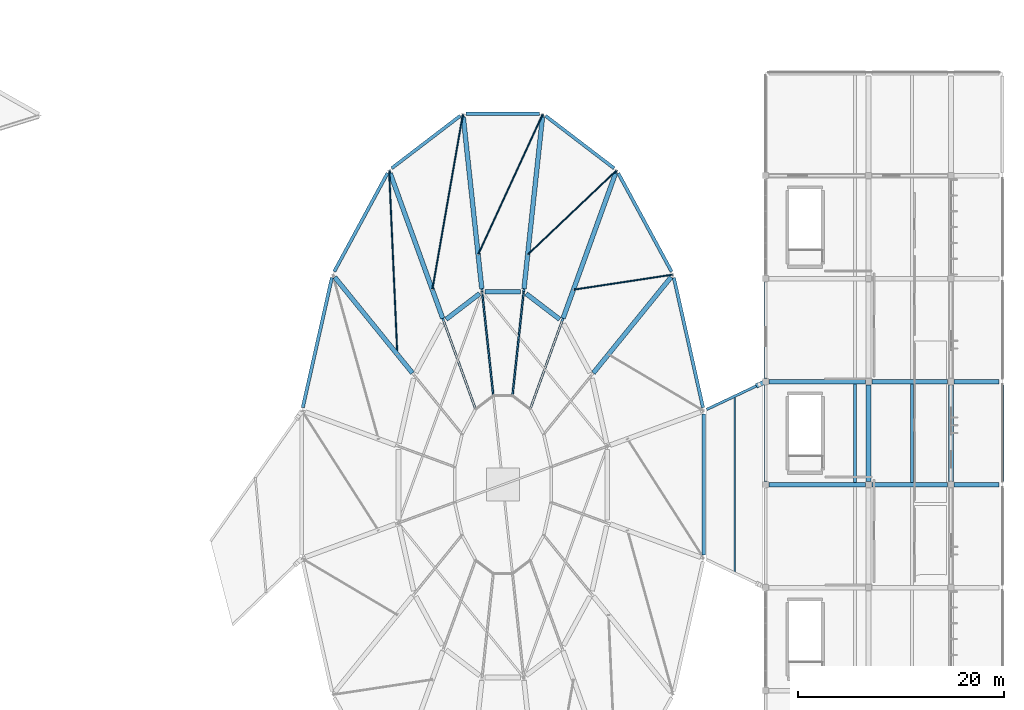
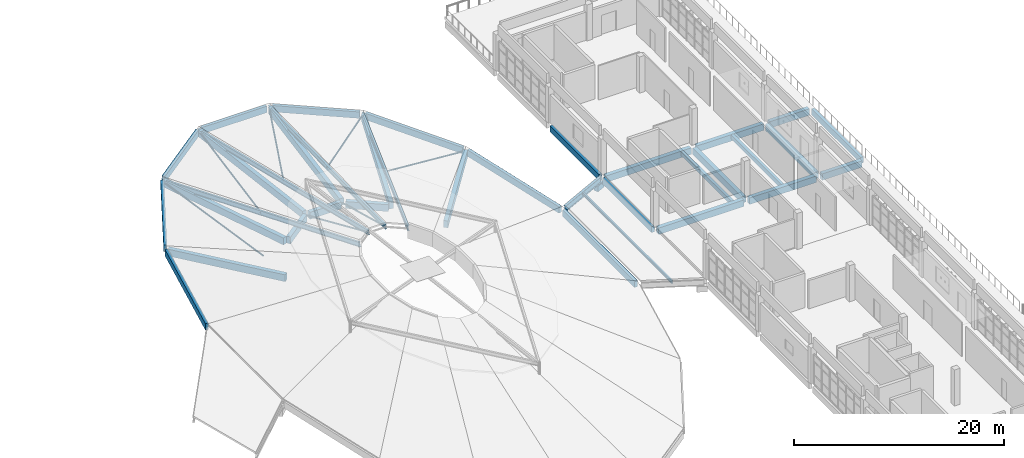
# One storey, part 12 of 39: 33 beams, 11 members.
"""IFC4 building model written with IfcOpenShell, lengths in metres."""

from ifc_helpers import new_model, si_unit, direction, frame, origin, origin_2d, place, context, subcontext, project, spatial, rectangle, hollow_rectangle, hollow_circle, i_section, extrude, material, material_profile, profile_set, type_object, element, save


model = new_model("IFC4")

# Units and contexts
model_context = context("Model", 3, precision=1e-05, world=origin(), true_north=direction((0.0, 1.0)))
body_context = subcontext(model_context, "Body", "Model", "MODEL_VIEW")
ifc_project = project(units=[si_unit("LENGTHUNIT", "METRE"), si_unit("AREAUNIT", "SQUARE_METRE"), si_unit("VOLUMEUNIT", "CUBIC_METRE"), si_unit("PLANEANGLEUNIT", "RADIAN"), si_unit("MASSUNIT", "GRAM", prefix="KILO")], contexts=[model_context])

# Site, building, storey
site_placement = place(None, origin())
site = spatial("IfcSite", under=ifc_project, at=site_placement, CompositionType="ELEMENT")
building_placement = place(site_placement, origin())
building = spatial("IfcBuilding", under=site, at=building_placement, Name="Corvandel Quay Wholesale Market", CompositionType="ELEMENT")
storey_placement = place(building_placement, frame((0.0, 0.0, 15.0)))
storey = spatial("IfcBuildingStorey", under=building, at=storey_placement, Name="L03", CompositionType="ELEMENT", Elevation=15.0)

# Members
ifc_material_1 = material(Name="Steel A992 Grade 50", Category="steel")
ifc_material_profile_1 = material_profile(ifc_material_1, i_section(OverallWidth=0.2099609375, OverallDepth=0.537109375, WebThickness=0.010986328125, FlangeThickness=0.017333984375, at=origin_2d()), Name="W21X68")
ifc_profile_set_1 = profile_set([ifc_material_profile_1], Name="Steel A992 Grade 50")
member_type_1 = type_object("IfcMemberType", Name="Auction Lantern Primary Rafter RF01 W21X68", PredefinedType="RAFTER", material=ifc_profile_set_1)
member_1_placement = place(storey_placement, frame((205.5458984375, 90.51904296875, -0.56005859375), z_axis=(-0.336493385237, -0.929677225546, 0.149908165196), x_axis=(0.940302716618, -0.340339244167, 0.0)))
element("IfcMember", 1, at=member_1_placement, inside=storey, type_object=member_type_1, Name="Member MEM-0054", PredefinedType="RAFTER", context=body_context, shape_type="SweptSolid", body=[
    extrude(i_section(OverallWidth=0.2099609375, OverallDepth=0.537109375, WebThickness=0.010986328125, FlangeThickness=0.017333984375, at=origin_2d()), origin(), (0.0, 0.0, 1.0), 24.948486328125),
])
for number, where, z_axis, x_axis, name in (
    (2, (198.37890625, 96.0, -0.56005859375), (-0.106152093076, -0.985188125442, 0.134670303422), (0.994245239382, -0.107127979383, 0.0), "Member MEM-0058"),
    (3, (190.62109375, 96.0, -0.56005859375), (0.106152093076, -0.985188125442, 0.134670303422), (0.994245239382, 0.107127979383, 0.0), "Member MEM-0062"),
):
    element("IfcMember", number, at=place(storey_placement, frame(where, z_axis=z_axis, x_axis=x_axis)), inside=storey, type_object=member_type_1, Name=name, PredefinedType="RAFTER", context=body_context, shape_type="SweptSolid", body=[
        extrude(i_section(OverallWidth=0.2099609375, OverallDepth=0.537109375, WebThickness=0.010986328125, FlangeThickness=0.017333984375, at=origin_2d()), origin(), (0.0, 0.0, 1.0), 27.771484375),
    ])
member_2_placement = place(storey_placement, frame((183.4541015625, 90.51904296875, -0.56005859375), z_axis=(0.336493385237, -0.929677225546, 0.149908165196), x_axis=(0.940302716618, 0.340339244167, 0.0)))
element("IfcMember", 4, at=member_2_placement, inside=storey, type_object=member_type_1, Name="Member MEM-0066", PredefinedType="RAFTER", context=body_context, shape_type="SweptSolid", body=[
    extrude(i_section(OverallWidth=0.2099609375, OverallDepth=0.537109375, WebThickness=0.010986328125, FlangeThickness=0.017333984375, at=origin_2d()), origin(), (0.0, 0.0, 1.0), 24.948486328125),
])

# Beams
ifc_material_2 = material(Name="Precast concrete C45/55", Category="concrete")
ifc_material_profile_2 = material_profile(ifc_material_2, rectangle(XDim=0.449951171875, YDim=0.800048828125, at=origin_2d()), Name="PC-GIR-450x800")
ifc_profile_set_2 = profile_set([ifc_material_profile_2], Name="Precast concrete C45/55")
beam_type_1 = type_object("IfcBeamType", Name="Auction Pavilion Girder G05 450x800", PredefinedType="USERDEFINED", material=ifc_profile_set_2)
beam_1_placement = place(storey_placement, frame((210.82958984375, 80.143310546875, -0.60009765625), z_axis=(-0.629759439893, -0.776790221273, 0.0), x_axis=(0.776790221273, -0.629759439893, 0.0)))
element("IfcBeam", 5, at=beam_1_placement, inside=storey, type_object=beam_type_1, Name="Beam BM-0790", ObjectType="GIRDER", PredefinedType="USERDEFINED", context=body_context, shape_type="SweptSolid", body=[
    extrude(rectangle(XDim=0.449951171875, YDim=0.800048828125, at=origin_2d()), origin(), (0.0, 0.0, 1.0), 11.9853515625),
])
beam_2_placement = place(storey_placement, frame((200.009765625, 76.04931640625, -0.60009765625), z_axis=(-0.794401755495, 0.607392666129, 0.0), x_axis=(-0.607392666129, -0.794401755495, 0.0)))
element("IfcBeam", 6, at=beam_2_placement, inside=storey, type_object=beam_type_1, Name="Beam BM-0798", ObjectType="GIRDER", PredefinedType="USERDEFINED", context=body_context, shape_type="SweptSolid", body=[
    extrude(rectangle(XDim=0.449951171875, YDim=0.800048828125, at=origin_2d()), origin(), (0.0, 0.0, 1.0), 4.101806640625),
])
beam_3_placement = place(storey_placement, frame((205.43701171875, 90.218017578125, -0.60009765625), z_axis=(-0.340323944188, -0.940308254251, 0.0), x_axis=(0.940308254251, -0.340323944188, 0.0)))
element("IfcBeam", 7, at=beam_3_placement, inside=storey, type_object=beam_type_1, Name="Beam BM-0799", ObjectType="GIRDER", PredefinedType="USERDEFINED", context=body_context, shape_type="SweptSolid", body=[
    extrude(rectangle(XDim=0.449951171875, YDim=0.800048828125, at=origin_2d()), origin(), (0.0, 0.0, 1.0), 14.9638671875),
])
beam_4_placement = place(storey_placement, frame((196.221923828125, 78.719970703125, -0.60009765625), z_axis=(-1.0, 0.0, 0.0), x_axis=(0.0, -1.0, 0.0)))
element("IfcBeam", 8, at=beam_4_placement, inside=storey, type_object=beam_type_1, Name="Beam BM-0807", ObjectType="GIRDER", PredefinedType="USERDEFINED", context=body_context, shape_type="SweptSolid", body=[
    extrude(rectangle(XDim=0.449951171875, YDim=0.800048828125, at=origin_2d()), origin(), (0.0, 0.0, 1.0), 3.44384765625),
])
beam_5_placement = place(storey_placement, frame((198.3447265625, 95.681884765625, -0.60009765625), z_axis=(-0.107135210455, -0.994244460221, 0.0), x_axis=(0.994244460221, -0.107135210455, 0.0)))
element("IfcBeam", 9, at=beam_5_placement, inside=storey, type_object=beam_type_1, Name="Beam BM-0808", ObjectType="GIRDER", PredefinedType="USERDEFINED", context=body_context, shape_type="SweptSolid", body=[
    extrude(rectangle(XDim=0.449951171875, YDim=0.800048828125, at=origin_2d()), origin(), (0.0, 0.0, 1.0), 16.76513671875),
])
beam_6_placement = place(storey_placement, frame((192.248779296875, 78.540771484375, -0.60009765625), z_axis=(-0.794401755495, -0.607392666129, 0.0), x_axis=(0.607392666129, -0.794401755495, 0.0)))
element("IfcBeam", 10, at=beam_6_placement, inside=storey, type_object=beam_type_1, Name="Beam BM-0818", ObjectType="GIRDER", PredefinedType="USERDEFINED", context=body_context, shape_type="SweptSolid", body=[
    extrude(rectangle(XDim=0.449951171875, YDim=0.800048828125, at=origin_2d()), origin(), (0.0, 0.0, 1.0), 4.101806640625),
])
beam_7_placement = place(storey_placement, frame((190.6552734375, 95.681884765625, -0.60009765625), z_axis=(0.107135210455, -0.994244460221, 0.0), x_axis=(0.994244460221, 0.107135210455, 0.0)))
element("IfcBeam", 11, at=beam_7_placement, inside=storey, type_object=beam_type_1, Name="Beam BM-0819", ObjectType="GIRDER", PredefinedType="USERDEFINED", context=body_context, shape_type="SweptSolid", body=[
    extrude(rectangle(XDim=0.449951171875, YDim=0.800048828125, at=origin_2d()), origin(), (0.0, 0.0, 1.0), 16.76513671875),
])
beam_8_placement = place(storey_placement, frame((183.56298828125, 90.218017578125, -0.60009765625), z_axis=(0.340323944188, -0.940308254251, 0.0), x_axis=(0.940308254251, 0.340323944188, 0.0)))
element("IfcBeam", 12, at=beam_8_placement, inside=storey, type_object=beam_type_1, Name="Beam BM-0830", ObjectType="GIRDER", PredefinedType="USERDEFINED", context=body_context, shape_type="SweptSolid", body=[
    extrude(rectangle(XDim=0.449951171875, YDim=0.800048828125, at=origin_2d()), origin(), (0.0, 0.0, 1.0), 14.9638671875),
])
beam_9_placement = place(storey_placement, frame((178.17041015625, 80.143310546875, -0.60009765625), z_axis=(0.629759439893, -0.776790221273, 0.0), x_axis=(0.776790221273, 0.629759439893, 0.0)))
element("IfcBeam", 13, at=beam_9_placement, inside=storey, type_object=beam_type_1, Name="Beam BM-0841", ObjectType="GIRDER", PredefinedType="USERDEFINED", context=body_context, shape_type="SweptSolid", body=[
    extrude(rectangle(XDim=0.449951171875, YDim=0.800048828125, at=origin_2d()), origin(), (0.0, 0.0, 1.0), 11.9853515625),
])
ifc_material_profile_3 = material_profile(ifc_material_1, i_section(OverallWidth=0.1669921875, OverallDepth=0.318115234375, WebThickness=0.007568359375, FlangeThickness=0.01318359375, at=origin_2d()), Name="W12X35")
ifc_profile_set_3 = profile_set([ifc_material_profile_3], Name="Steel A992 Grade 50")
beam_type_2 = type_object("IfcBeamType", Name="Bridge Floor Steel Beam SB02 W12X35", PredefinedType="BEAM", material=ifc_profile_set_3)
beam_10_placement = place(storey_placement, frame((217.0, 51.429443359375, -0.360107421875), z_axis=(0.0, 1.0, 0.0), x_axis=(-1.0, 0.0, 0.0)))
element("IfcBeam", 14, at=beam_10_placement, inside=storey, type_object=beam_type_2, Name="Beam BM-1820", PredefinedType="BEAM", context=body_context, shape_type="SweptSolid", body=[
    extrude(i_section(OverallWidth=0.1669921875, OverallDepth=0.318115234375, WebThickness=0.007568359375, FlangeThickness=0.01318359375, at=origin_2d()), origin(), (0.0, 0.0, 1.0), 17.14111328125),
])
ifc_material_profile_4 = material_profile(ifc_material_1, i_section(OverallWidth=0.25390625, OverallDepth=0.68310546875, WebThickness=0.012451171875, FlangeThickness=0.018798828125, at=origin_2d()), Name="W27X94")
ifc_profile_set_4 = profile_set([ifc_material_profile_4], Name="Steel A992 Grade 50")
beam_type_3 = type_object("IfcBeamType", Name="Bridge Link Steel Girder SG01 W27X94", PredefinedType="USERDEFINED", material=ifc_profile_set_4)
beam_11_placement = place(storey_placement, frame((214.28466796875, 67.295654296875, -0.54150390625), z_axis=(0.903920621158, 0.427700257943, 0.0), x_axis=(-0.427700257943, 0.903920621158, 0.0)))
element("IfcBeam", 15, at=beam_11_placement, inside=storey, type_object=beam_type_3, Name="Beam BM-1819", ObjectType="GIRDER", PredefinedType="USERDEFINED", context=body_context, shape_type="SweptSolid", body=[
    extrude(i_section(OverallWidth=0.25390625, OverallDepth=0.68310546875, WebThickness=0.012451171875, FlangeThickness=0.018798828125, at=origin_2d()), origin(), (0.0, 0.0, 1.0), 6.0078125),
])

# Members
ifc_material_3 = material(Name="Steel A500 Grade C", Category="steel")
ifc_material_profile_5 = material_profile(ifc_material_3, hollow_rectangle(XDim=0.126953125, YDim=0.126953125, WallThickness=0.00732421875, at=origin_2d()), Name="HSS5X5X5/16")
ifc_profile_set_5 = profile_set([ifc_material_profile_5], Name="Steel A500 Grade C")
member_type_2 = type_object("IfcMemberType", Name="Lantern Truss Web Brace BR04 HSS5X5", PredefinedType="BRACE", material=ifc_profile_set_5)
for number, where, z_axis, x_axis, name in (
    (16, (196.51708984375, 78.719970703125, -0.56005859375), (-0.100514097109, -0.932799739587, 0.346094729964), (0.994244473032, -0.107135091565, 0.0), "Member MEM-0059"),
    (17, (192.48291015625, 78.719970703125, -0.56005859375), (0.100514097109, -0.932799739587, 0.346094729964), (0.994244473032, 0.107135091565, 0.0), "Member MEM-0063"),
):
    element("IfcMember", number, at=place(storey_placement, frame(where, z_axis=z_axis, x_axis=x_axis)), inside=storey, type_object=member_type_2, Name=name, PredefinedType="BRACE", context=body_context, shape_type="SweptSolid", body=[
        extrude(hollow_rectangle(XDim=0.126953125, YDim=0.126953125, WallThickness=0.00732421875, at=origin_2d()), origin(), (0.0, 0.0, 1.0), 10.80615234375),
    ])

# Beams
ifc_material_profile_6 = material_profile(ifc_material_2, rectangle(XDim=0.300048828125, YDim=0.5, at=origin_2d()), Name="PC-BM-300x500")
ifc_profile_set_6 = profile_set([ifc_material_profile_6], Name="Precast concrete C45/55")
beam_type_4 = type_object("IfcBeamType", Name="Office Floor Secondary Beam B04 300x500", PredefinedType="BEAM", material=ifc_profile_set_6)
for number, where, z_axis, x_axis, name in (
    (18, (228.699951171875, 60.215087890625, -0.570068359375), (0.0, 1.0, 0.0), (-1.0, 0.0, 0.0), "Beam BM-1688"),
    (19, (234.199951171875, 60.215087890625, -0.570068359375), (0.0, 1.0, 0.0), (-1.0, 0.0, 0.0), "Beam BM-1689"),
):
    element("IfcBeam", number, at=place(storey_placement, frame(where, z_axis=z_axis, x_axis=x_axis)), inside=storey, type_object=beam_type_4, Name=name, PredefinedType="BEAM", context=body_context, shape_type="SweptSolid", body=[
        extrude(rectangle(XDim=0.300048828125, YDim=0.5, at=origin_2d()), origin(), (0.0, 0.0, 1.0), 9.56982421875),
    ])
ifc_material_profile_7 = material_profile(ifc_material_2, rectangle(XDim=0.320068359375, YDim=0.75, at=origin_2d()), Name="PC-SPN-320x750")
ifc_profile_set_7 = profile_set([ifc_material_profile_7], Name="Precast concrete C45/55")
beam_type_5 = type_object("IfcBeamType", Name="Pavilion Precast Spandrel SP02 320x750", PredefinedType="SPANDREL", material=ifc_profile_set_7)
beam_12_placement = place(storey_placement, frame((213.929931640625, 67.47314453125, -0.574951171875), z_axis=(-0.218948761125, 0.975736357835, 0.0), x_axis=(-0.975736357835, -0.218948761125, 0.0)))
element("IfcBeam", 20, at=beam_12_placement, inside=storey, type_object=beam_type_5, Name="Beam BM-0777", PredefinedType="SPANDREL", context=body_context, shape_type="SweptSolid", body=[
    extrude(rectangle(XDim=0.320068359375, YDim=0.75, at=origin_2d()), origin(), (0.0, 0.0, 1.0), 12.920166015625),
])
beam_13_placement = place(storey_placement, frame((210.878662109375, 80.67333984375, -0.574951171875), z_axis=(-0.476252055729, 0.879308807766, 0.0), x_axis=(-0.879308807766, -0.476252055729, 0.0)))
element("IfcBeam", 21, at=beam_13_placement, inside=storey, type_object=beam_type_5, Name="Beam BM-0788", PredefinedType="SPANDREL", context=body_context, shape_type="SweptSolid", body=[
    extrude(rectangle(XDim=0.320068359375, YDim=0.75, at=origin_2d()), origin(), (0.0, 0.0, 1.0), 10.876953125),
])
beam_14_placement = place(storey_placement, frame((205.291748046875, 90.71337890625, -0.574951171875), z_axis=(-0.794327244318, 0.607490106038, 0.0), x_axis=(-0.607490106038, -0.794327244318, 0.0)))
element("IfcBeam", 22, at=beam_14_placement, inside=storey, type_object=beam_type_5, Name="Beam BM-0797", PredefinedType="SPANDREL", context=body_context, shape_type="SweptSolid", body=[
    extrude(rectangle(XDim=0.320068359375, YDim=0.75, at=origin_2d()), origin(), (0.0, 0.0, 1.0), 8.382568359375),
])
beam_15_placement = place(storey_placement, frame((198.05908203125, 96.0, -0.574951171875), z_axis=(-1.0, 0.0, 0.0), x_axis=(0.0, -1.0, 0.0)))
element("IfcBeam", 23, at=beam_15_placement, inside=storey, type_object=beam_type_5, Name="Beam BM-0806", PredefinedType="SPANDREL", context=body_context, shape_type="SweptSolid", body=[
    extrude(rectangle(XDim=0.320068359375, YDim=0.75, at=origin_2d()), origin(), (0.0, 0.0, 1.0), 7.1181640625),
])
beam_16_placement = place(storey_placement, frame((190.36669921875, 95.8056640625, -0.574951171875), z_axis=(-0.794327244318, -0.607490106038, 0.0), x_axis=(0.607490106038, -0.794327244318, 0.0)))
element("IfcBeam", 24, at=beam_16_placement, inside=storey, type_object=beam_type_5, Name="Beam BM-0817", PredefinedType="SPANDREL", context=body_context, shape_type="SweptSolid", body=[
    extrude(rectangle(XDim=0.320068359375, YDim=0.75, at=origin_2d()), origin(), (0.0, 0.0, 1.0), 8.382568359375),
])
beam_17_placement = place(storey_placement, frame((183.301513671875, 90.237548828125, -0.574951171875), z_axis=(-0.476252055729, -0.879308807766, 0.0), x_axis=(0.879308807766, -0.476252055729, 0.0)))
element("IfcBeam", 25, at=beam_17_placement, inside=storey, type_object=beam_type_5, Name="Beam BM-0828", PredefinedType="SPANDREL", context=body_context, shape_type="SweptSolid", body=[
    extrude(rectangle(XDim=0.320068359375, YDim=0.75, at=origin_2d()), origin(), (0.0, 0.0, 1.0), 10.876953125),
])
beam_18_placement = place(storey_placement, frame((177.89892578125, 80.079833984375, -0.574951171875), z_axis=(-0.218948761125, -0.975736357835, 0.0), x_axis=(0.975736357835, -0.218948761125, 0.0)))
element("IfcBeam", 26, at=beam_18_placement, inside=storey, type_object=beam_type_5, Name="Beam BM-0839", PredefinedType="SPANDREL", context=body_context, shape_type="SweptSolid", body=[
    extrude(rectangle(XDim=0.320068359375, YDim=0.75, at=origin_2d()), origin(), (0.0, 0.0, 1.0), 12.920166015625),
])
beam_19_placement = place(storey_placement, frame((214.0, 53.158935546875, -0.574951171875), z_axis=(0.0, 1.0, 0.0), x_axis=(-1.0, 0.0, 0.0)))
element("IfcBeam", 27, at=beam_19_placement, inside=storey, type_object=beam_type_5, Name="Beam BM-0934", PredefinedType="SPANDREL", context=body_context, shape_type="SweptSolid", body=[
    extrude(rectangle(XDim=0.320068359375, YDim=0.75, at=origin_2d()), origin(), (0.0, 0.0, 1.0), 13.68212890625),
])

# Members
ifc_material_profile_8 = material_profile(ifc_material_3, hollow_circle(Radius=0.083984375, WallThickness=0.00732421875, at=origin_2d()), Name="HSS6.625X0.312")
ifc_profile_set_8 = profile_set([ifc_material_profile_8], Name="Steel A500 Grade C")
member_type_3 = type_object("IfcMemberType", Name="Roof Diaphragm Wind Brace BR06 CHS168", PredefinedType="BRACE", material=ifc_profile_set_8)
member_3_placement = place(storey_placement, frame((211.031005859375, 80.39208984375, -0.56005859375), z_axis=(-0.971124795816, -0.147431729592, 0.187564698335), x_axis=(0.150095588472, -0.988671489587, 0.0)))
element("IfcMember", 28, at=member_3_placement, inside=storey, type_object=member_type_3, Name="Member MEM-0053", PredefinedType="BRACE", context=body_context, shape_type="SweptSolid", body=[
    extrude(hollow_circle(Radius=0.083984375, WallThickness=0.00732421875, at=origin_2d()), origin(), (0.0, 0.0, 1.0), 9.970458984375),
])
member_4_placement = place(storey_placement, frame((205.5458984375, 90.51904296875, -0.56005859375), z_axis=(-0.716634009863, -0.679985306508, 0.155098932432), x_axis=(0.688314641364, -0.725412265187, 0.0)))
element("IfcMember", 29, at=member_4_placement, inside=storey, type_object=member_type_3, Name="Member MEM-0057", PredefinedType="BRACE", context=body_context, shape_type="SweptSolid", body=[
    extrude(hollow_circle(Radius=0.083984375, WallThickness=0.00732421875, at=origin_2d()), origin(), (0.0, 0.0, 1.0), 12.0576171875),
])
member_5_placement = place(storey_placement, frame((198.37890625, 96.0, -0.56005859375), z_axis=(-0.414237247646, -0.901781564838, 0.1232781894), x_axis=(0.908713090187, -0.417421273684, 0.0)))
element("IfcMember", 30, at=member_5_placement, inside=storey, type_object=member_type_3, Name="Member MEM-0061", PredefinedType="BRACE", context=body_context, shape_type="SweptSolid", body=[
    extrude(hollow_circle(Radius=0.083984375, WallThickness=0.00732421875, at=origin_2d()), origin(), (0.0, 0.0, 1.0), 15.169921875),
])
member_6_placement = place(storey_placement, frame((190.62109375, 96.0, -0.56005859375), z_axis=(-0.170320131476, -0.979533299092, 0.107264014396), x_axis=(0.985217439721, -0.171308483357, 0.0)))
element("IfcMember", 31, at=member_6_placement, inside=storey, type_object=member_type_3, Name="Member MEM-0065", PredefinedType="BRACE", context=body_context, shape_type="SweptSolid", body=[
    extrude(hollow_circle(Radius=0.083984375, WallThickness=0.00732421875, at=origin_2d()), origin(), (0.0, 0.0, 1.0), 17.434814453125),
])
member_7_placement = place(storey_placement, frame((183.4541015625, 90.51904296875, -0.56005859375), z_axis=(0.044265427386, -0.993597361502, 0.103946405205), x_axis=(0.999009093727, 0.044506523678, 0.0)))
element("IfcMember", 32, at=member_7_placement, inside=storey, type_object=member_type_3, Name="Member MEM-0069", PredefinedType="BRACE", context=body_context, shape_type="SweptSolid", body=[
    extrude(hollow_circle(Radius=0.083984375, WallThickness=0.00732421875, at=origin_2d()), origin(), (0.0, 0.0, 1.0), 17.9912109375),
])

# Beams
ifc_material_profile_9 = material_profile(ifc_material_2, rectangle(XDim=0.449951171875, YDim=0.64990234375, at=origin_2d()), Name="PC-COR-680x650")
ifc_profile_set_9 = profile_set([ifc_material_profile_9], Name="Precast concrete C45/55")
beam_type_6 = type_object("IfcBeamType", Name="Seismic Joint Precast Corbel CB01 680x650", PredefinedType="BEAM", material=ifc_profile_set_9)
beam_20_placement = place(storey_placement, frame((220.0, 70.0, -1.2080078125), z_axis=(-0.903980084477, -0.427574562935, 0.0), x_axis=(0.427574562935, -0.903980084477, 0.0)))
element("IfcBeam", 33, at=beam_20_placement, inside=storey, type_object=beam_type_6, Name="Beam BM-1818", PredefinedType="BEAM", context=body_context, shape_type="SweptSolid", body=[
    extrude(rectangle(XDim=0.449951171875, YDim=0.64990234375, at=origin_2d()), origin(), (0.0, 0.0, 1.0), 1.0048828125),
])
ifc_material_profile_10 = material_profile(ifc_material_2, rectangle(XDim=0.300048828125, YDim=0.699951171875, at=origin_2d()), Name="PC-SPN-300x700")
ifc_profile_set_10 = profile_set([ifc_material_profile_10], Name="Precast concrete C45/55")
beam_type_7 = type_object("IfcBeamType", Name="Terrace Edge Spandrel SP03 300x700", PredefinedType="SPANDREL", material=ifc_profile_set_10)
for number, where, z_axis, x_axis, name in (
    (34, (220.0, 60.320068359375, -0.669921875), (0.0, 1.0, 0.0), (-1.0, 0.0, 0.0), "Beam BM-1647"),
    (35, (220.0, 70.320068359375, -0.669921875), (0.0, 1.0, 0.0), (-1.0, 0.0, 0.0), "Beam BM-1648"),
    (36, (243.0, 60.320068359375, -0.669921875), (0.0, 1.0, 0.0), (-1.0, 0.0, 0.0), "Beam BM-1674"),
):
    element("IfcBeam", number, at=place(storey_placement, frame(where, z_axis=z_axis, x_axis=x_axis)), inside=storey, type_object=beam_type_7, Name=name, PredefinedType="SPANDREL", context=body_context, shape_type="SweptSolid", body=[
        extrude(rectangle(XDim=0.300048828125, YDim=0.699951171875, at=origin_2d()), origin(), (0.0, 0.0, 1.0), 9.35986328125),
    ])
ifc_material_profile_11 = material_profile(ifc_material_2, rectangle(XDim=0.449951171875, YDim=0.75, at=origin_2d()), Name="PC-GIR-450x750")
ifc_profile_set_11 = profile_set([ifc_material_profile_11], Name="Precast concrete C45/55")
beam_type_8 = type_object("IfcBeamType", Name="Waterfront Office Girder G06 450x750", PredefinedType="USERDEFINED", material=ifc_profile_set_11)
beam_21_placement = place(storey_placement, frame((220.320068359375, 60.0, -0.695068359375), z_axis=(1.0, 0.0, 0.0), x_axis=(0.0, 1.0, 0.0)))
element("IfcBeam", 37, at=beam_21_placement, inside=storey, type_object=beam_type_8, Name="Beam BM-1627", ObjectType="GIRDER", PredefinedType="USERDEFINED", context=body_context, shape_type="SweptSolid", body=[
    extrude(rectangle(XDim=0.449951171875, YDim=0.75, at=origin_2d()), origin(), (0.0, 0.0, 1.0), 9.35986328125),
])
beam_22_placement = place(storey_placement, frame((230.320068359375, 60.0, -0.695068359375), z_axis=(1.0, 0.0, 0.0), x_axis=(0.0, 1.0, 0.0)))
element("IfcBeam", 38, at=beam_22_placement, inside=storey, type_object=beam_type_8, Name="Beam BM-1628", ObjectType="GIRDER", PredefinedType="USERDEFINED", context=body_context, shape_type="SweptSolid", body=[
    extrude(rectangle(XDim=0.449951171875, YDim=0.75, at=origin_2d()), origin(), (0.0, 0.0, 1.0), 7.35986328125),
])
beam_23_placement = place(storey_placement, frame((238.320068359375, 60.0, -0.695068359375), z_axis=(1.0, 0.0, 0.0), x_axis=(0.0, 1.0, 0.0)))
element("IfcBeam", 39, at=beam_23_placement, inside=storey, type_object=beam_type_8, Name="Beam BM-1629", ObjectType="GIRDER", PredefinedType="USERDEFINED", context=body_context, shape_type="SweptSolid", body=[
    extrude(rectangle(XDim=0.449951171875, YDim=0.75, at=origin_2d()), origin(), (0.0, 0.0, 1.0), 4.35986328125),
])
beam_24_placement = place(storey_placement, frame((220.320068359375, 70.0, -0.695068359375), z_axis=(1.0, 0.0, 0.0), x_axis=(0.0, 1.0, 0.0)))
element("IfcBeam", 40, at=beam_24_placement, inside=storey, type_object=beam_type_8, Name="Beam BM-1630", ObjectType="GIRDER", PredefinedType="USERDEFINED", context=body_context, shape_type="SweptSolid", body=[
    extrude(rectangle(XDim=0.449951171875, YDim=0.75, at=origin_2d()), origin(), (0.0, 0.0, 1.0), 9.35986328125),
])
beam_25_placement = place(storey_placement, frame((230.320068359375, 70.0, -0.695068359375), z_axis=(1.0, 0.0, 0.0), x_axis=(0.0, 1.0, 0.0)))
element("IfcBeam", 41, at=beam_25_placement, inside=storey, type_object=beam_type_8, Name="Beam BM-1631", ObjectType="GIRDER", PredefinedType="USERDEFINED", context=body_context, shape_type="SweptSolid", body=[
    extrude(rectangle(XDim=0.449951171875, YDim=0.75, at=origin_2d()), origin(), (0.0, 0.0, 1.0), 7.35986328125),
])
beam_26_placement = place(storey_placement, frame((238.320068359375, 70.0, -0.695068359375), z_axis=(1.0, 0.0, 0.0), x_axis=(0.0, 1.0, 0.0)))
element("IfcBeam", 42, at=beam_26_placement, inside=storey, type_object=beam_type_8, Name="Beam BM-1632", ObjectType="GIRDER", PredefinedType="USERDEFINED", context=body_context, shape_type="SweptSolid", body=[
    extrude(rectangle(XDim=0.449951171875, YDim=0.75, at=origin_2d()), origin(), (0.0, 0.0, 1.0), 4.35986328125),
])
for number, where, z_axis, x_axis, name in (
    (43, (230.0, 60.320068359375, -0.695068359375), (0.0, 1.0, 0.0), (-1.0, 0.0, 0.0), "Beam BM-1656"),
    (44, (238.0, 60.320068359375, -0.695068359375), (0.0, 1.0, 0.0), (-1.0, 0.0, 0.0), "Beam BM-1665"),
):
    element("IfcBeam", number, at=place(storey_placement, frame(where, z_axis=z_axis, x_axis=x_axis)), inside=storey, type_object=beam_type_8, Name=name, ObjectType="GIRDER", PredefinedType="USERDEFINED", context=body_context, shape_type="SweptSolid", body=[
        extrude(rectangle(XDim=0.449951171875, YDim=0.75, at=origin_2d()), origin(), (0.0, 0.0, 1.0), 9.35986328125),
    ])

save(model, "model.ifc")
